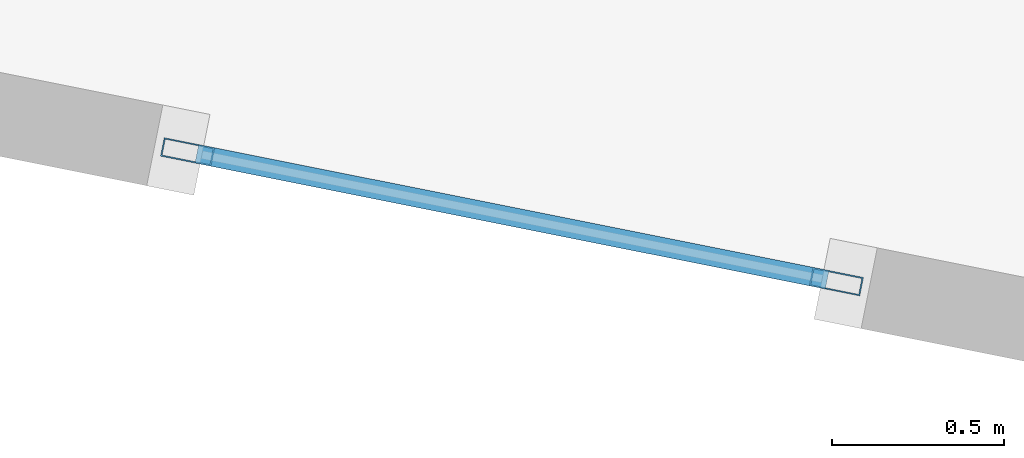
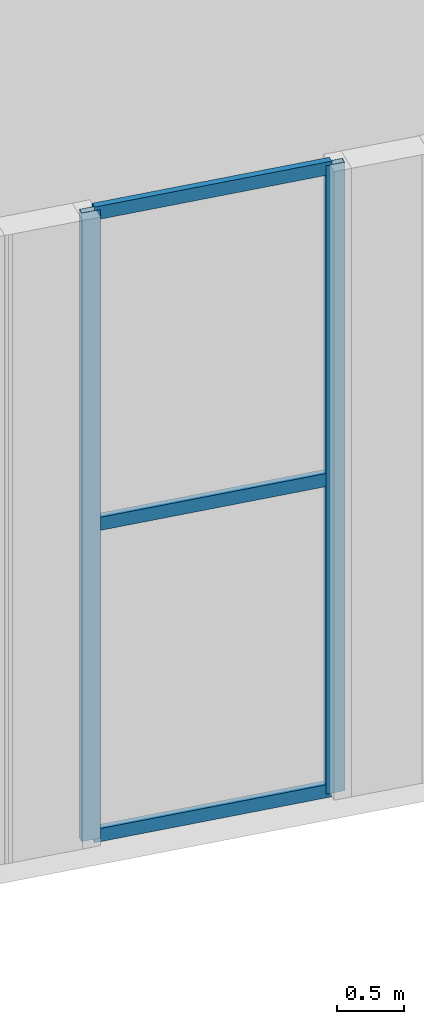
# One storey, part 2 of 11: 5 members, 1 element without a shape of its own.
"""IFC4 building model written with IfcOpenShell, lengths in metres."""

import ifcopenshell
import ifcopenshell.guid

model = None  # the IFC model being written
_history = None  # IfcOwnerHistory: only IFC2X3 demands one
_inside = {}  # id of a spatial element -> (the spatial element, [elements in it])
_under = {}  # id of a project, library or spatial element -> (it, [spatial elements below it])
_declared = {}  # id of a project -> (the project, [libraries it declares])
_typed = {}  # id of a type object -> (the type object, [elements of that type])
_made_of = {}  # id of a material, layer set ... -> (it, [elements and type objects made of it])


def new_model(schema):
    """Start an empty IFC model of exactly this schema.

    Asked for "IFC4X3", IfcOpenShell would pick the latest addendum, in which some entities
    have other attributes; the version numbers below select the first issue.
    IFC2X3 requires an IfcOwnerHistory on every rooted entity: one is made here for all.
    """
    global model, _history
    if schema == "IFC4X3":
        model = ifcopenshell.file(schema_version=(4, 3, 0, 0))
    else:
        model = ifcopenshell.file(schema=schema)
    _inside.clear()
    _under.clear()
    _declared.clear()
    _typed.clear()
    _made_of.clear()
    _history = None
    if model.schema == "IFC2X3":
        org = make("IfcOrganization", Name="unknown")
        user = make(
            "IfcPersonAndOrganization",
            ThePerson=make("IfcPerson", FamilyName="unknown"),
            TheOrganization=org,
        )
        app = make(
            "IfcApplication",
            ApplicationDeveloper=org,
            Version="unknown",
            ApplicationFullName="unknown",
            ApplicationIdentifier="unknown",
        )
        _history = make(
            "IfcOwnerHistory",
            OwningUser=user,
            OwningApplication=app,
            ChangeAction="ADDED",
            CreationDate=0,
        )
    return model


def make(cls, **values):
    """One entity of the class cls with the attributes given. An attribute that is None is left unset."""
    return model.create_entity(
        cls, **{name: value for name, value in values.items() if value is not None}
    )


def rooted(cls, **values):
    """An entity with a GlobalId (a new one), such as an element, a storey or a relation."""
    return make(cls, GlobalId=ifcopenshell.guid.new(), OwnerHistory=_history, **values)


def si_unit(unit_type, name, prefix=None):
    """IfcSIUnit, for example si_unit("LENGTHUNIT", "METRE", prefix="MILLI")."""
    return make("IfcSIUnit", UnitType=unit_type, Prefix=prefix, Name=name)


def assignment(units):
    """IfcUnitAssignment: the units of a project."""
    return None if units is None else make("IfcUnitAssignment", Units=units)


def point(xyz):
    """IfcCartesianPoint."""
    return None if xyz is None else make("IfcCartesianPoint", Coordinates=xyz)


def direction(xyz):
    """IfcDirection."""
    return None if xyz is None else make("IfcDirection", DirectionRatios=xyz)


def frame(location, z_axis=None, x_axis=None):
    """IfcAxis2Placement3D, a coordinate frame: its origin and axes. An axis left out is left unset."""
    return make(
        "IfcAxis2Placement3D",
        Location=point(location),
        Axis=direction(z_axis),
        RefDirection=direction(x_axis),
    )


def frame_2d(location, x_axis=None):
    """IfcAxis2Placement2D, a coordinate frame in the plane: its origin and x axis."""
    return make(
        "IfcAxis2Placement2D", Location=point(location), RefDirection=direction(x_axis)
    )


def origin():
    """The frame at (0, 0, 0) with its axes left unset."""
    return frame((0.0, 0.0, 0.0))


def origin_2d():
    """The frame at (0, 0) in the plane with its x axis left unset."""
    return frame_2d((0.0, 0.0))


def place(relative_to, where):
    """IfcLocalPlacement: puts the frame where relative to a parent placement (None: the world)."""
    return make(
        "IfcLocalPlacement", PlacementRelTo=relative_to, RelativePlacement=where
    )


def context(
    kind, dimensions, precision=None, world=None, true_north=None, identifier=None
):
    """IfcGeometricRepresentationContext, for example the 3D "Model" context."""
    return make(
        "IfcGeometricRepresentationContext",
        ContextIdentifier=identifier,
        ContextType=kind,
        CoordinateSpaceDimension=dimensions,
        Precision=precision,
        WorldCoordinateSystem=world,
        TrueNorth=true_north,
    )


def subcontext(parent, identifier, kind, view, scale=None):
    """IfcGeometricRepresentationSubContext, for example "Body" below "Model"."""
    return make(
        "IfcGeometricRepresentationSubContext",
        ContextIdentifier=identifier,
        ContextType=kind,
        ParentContext=parent,
        TargetScale=scale,
        TargetView=view,
    )


def project(units=None, contexts=None):
    """IfcProject with its units and contexts."""
    return rooted(
        "IfcProject",
        Name="project",
        RepresentationContexts=contexts,
        UnitsInContext=assignment(units),
    )


def spatial(cls, under=None, at=None, **own):
    """A site, building, storey or space (cls), placed at a placement, below another one or the project."""
    s = rooted(cls, ObjectPlacement=at, **own)
    if under is not None:
        _under.setdefault(under.id(), (under, []))[1].append(s)
    return s


def profile(cls, at=None, kind="AREA", **sizes):
    """A parametric profile (cls). Its sizes go by their IFC names, for example OverallWidth=200.0."""
    return make(cls, ProfileType=kind, Position=at, **sizes)


def hollow_rectangle(**sizes):
    """IfcRectangleHollowProfileDef."""
    return profile("IfcRectangleHollowProfileDef", **sizes)


def extrude(swept, where, along, depth):
    """IfcExtrudedAreaSolid: the profile swept, set in the frame where, extruded along a direction by depth."""
    return make(
        "IfcExtrudedAreaSolid",
        SweptArea=swept,
        Position=where,
        ExtrudedDirection=direction(along),
        Depth=depth,
    )


def shape(context_of_items, identifier, shape_type, items):
    """IfcShapeRepresentation: the items that make up one representation, for example the "Body"."""
    return make(
        "IfcShapeRepresentation",
        ContextOfItems=context_of_items,
        RepresentationIdentifier=identifier,
        RepresentationType=shape_type,
        Items=items,
    )


def material(Name=None, Category=None):
    """IfcMaterial."""
    return make("IfcMaterial", Name=Name, Category=Category)


def layer(
    of_material, thickness, ventilated=None, Name=None, Category=None, Priority=None
):
    """IfcMaterialLayer: one layer of a wall or slab, of a material (None: an air gap)."""
    return make(
        "IfcMaterialLayer",
        Material=of_material,
        LayerThickness=thickness,
        IsVentilated=ventilated,
        Name=Name,
        Category=Category,
        Priority=Priority,
    )


def layer_set(layers, Name=None):
    """IfcMaterialLayerSet."""
    return make("IfcMaterialLayerSet", MaterialLayers=layers, LayerSetName=Name)


def material_profile(
    of_material, cross_section, Name=None, Category=None, Priority=None
):
    """IfcMaterialProfile: a cross section and its material."""
    return make(
        "IfcMaterialProfile",
        Name=Name,
        Material=of_material,
        Profile=cross_section,
        Priority=Priority,
        Category=Category,
    )


def profile_set(profiles, Name=None, composite=None):
    """IfcMaterialProfileSet."""
    return make(
        "IfcMaterialProfileSet",
        Name=Name,
        MaterialProfiles=profiles,
        CompositeProfile=composite,
    )


def made_of(thing, what):
    """Note that an element or type object is made of a material, layer set ...; save() writes the relation."""
    if what is not None:
        _made_of.setdefault(what.id(), (what, []))[1].append(thing)
    return thing


def type_object(cls, material=None, **own):
    """A type object (cls), such as IfcWallType, which elements share."""
    return made_of(rooted(cls, **own), material)


def element(
    cls,
    number,
    at=None,
    inside=None,
    cuts=None,
    type_object=None,
    material=None,
    context=None,
    identifier="Body",
    shape_type=None,
    held_by="IfcProductDefinitionShape",
    body=None,
    shapes=None,
    **own,
):
    """One element of the class cls, such as IfcWall. Its Tag is "e" and its number.

    at: its placement. inside: the storey or other place that contains it. cuts: it is an
    opening in that element (IfcRelVoidsElement). A single representation is given by context,
    identifier, shape_type and body (its items); several are given by shapes. held_by: the class
    of the entity that holds the representations. save() writes the other relations.
    """
    e = rooted(cls, Tag="e%d" % number, ObjectPlacement=at, **own)
    if body is not None:
        shapes = [shape(context, identifier, shape_type, body)]
    if shapes is not None:
        e.Representation = make(held_by, Representations=shapes)
    if inside is not None:
        _inside.setdefault(inside.id(), (inside, []))[1].append(e)
    if cuts is not None:
        rooted(
            "IfcRelVoidsElement", RelatingBuildingElement=cuts, RelatedOpeningElement=e
        )
    if type_object is not None:
        _typed.setdefault(type_object.id(), (type_object, []))[1].append(e)
    return made_of(e, material)


def aggregate(whole, parts):
    """IfcRelAggregates: a whole, such as a stair, and the parts it consists of."""
    return rooted("IfcRelAggregates", RelatingObject=whole, RelatedObjects=parts)


def save(model, path):
    """Write the relations noted so far, then the file.

    IfcRelAggregates (storeys below a building ...), IfcRelContainedInSpatialStructure (elements
    in a storey), IfcRelDefinesByType, IfcRelAssociatesMaterial and IfcRelDeclares: one each for
    every whole, place, type object, material and project.
    """
    for whole, parts in _under.values():
        aggregate(whole, parts)
    for where, things in _inside.values():
        rooted(
            "IfcRelContainedInSpatialStructure",
            RelatedElements=things,
            RelatingStructure=where,
        )
    for kind, things in _typed.values():
        rooted("IfcRelDefinesByType", RelatedObjects=things, RelatingType=kind)
    for what, things in _made_of.values():
        rooted("IfcRelAssociatesMaterial", RelatedObjects=things, RelatingMaterial=what)
    for by, libraries in _declared.values():
        rooted("IfcRelDeclares", RelatingContext=by, RelatedDefinitions=libraries)
    model.write(path)


model = new_model("IFC4")

# Units and contexts
model_context = context("Model", 3, precision=1e-05, world=origin(), true_north=direction((0.0, 1.0)))
body_context = subcontext(model_context, "Body", "Model", "MODEL_VIEW")
ifc_project = project(units=[si_unit("LENGTHUNIT", "METRE"), si_unit("AREAUNIT", "SQUARE_METRE"), si_unit("VOLUMEUNIT", "CUBIC_METRE"), si_unit("PLANEANGLEUNIT", "RADIAN"), si_unit("MASSUNIT", "GRAM", prefix="KILO")], contexts=[model_context])

# Site, building, storey
site_placement = place(None, origin())
site = spatial("IfcSite", under=ifc_project, at=site_placement, CompositionType="ELEMENT")
building_placement = place(site_placement, origin())
building = spatial("IfcBuilding", under=site, at=building_placement, Name="Miruveldt Soraemaru", CompositionType="ELEMENT")
storey_placement = place(building_placement, frame((0.0, 0.0, 300.800048828125)))
storey = spatial("IfcBuildingStorey", under=building, at=storey_placement, Name="L80", CompositionType="ELEMENT", Elevation=300.800048828125)

# Curtain wall, members
ifc_material = material(Name="Anodised aluminium EN AW-6063 T6", Category="aluminium")
ifc_layer = layer(ifc_material, 0.14990234375, Name="Anodised aluminium EN AW-6063 T6", Category="aluminium")
ifc_layer_set = layer_set([ifc_layer], Name="Anodised aluminium EN AW-6063 T6")
curtain_wall_type = type_object("IfcCurtainWallType", Name="CW-SYS-6", PredefinedType="USERDEFINED", material=ifc_layer_set)
curtain_wall_placement = place(storey_placement, origin())
curtain_wall = element("IfcCurtainWall", 1, at=curtain_wall_placement, inside=storey, type_object=curtain_wall_type, Name="L80 Curtain Wall Bay 22", ObjectType="UNITISED GLAZING", PredefinedType="USERDEFINED")
ifc_material_profile_1 = material_profile(ifc_material, hollow_rectangle(XDim=0.054931640625, YDim=0.14990234375, WallThickness=0.00390625, at=origin_2d()), Name="Anodised aluminium EN AW-6063 T6", Category="aluminium")
ifc_profile_set_1 = profile_set([ifc_material_profile_1], Name="Anodised aluminium EN AW-6063 T6")
member_type_1 = type_object("IfcMemberType", Name="CWM-6", PredefinedType="MULLION", material=ifc_profile_set_1)
member_1_placement = place(storey_placement, frame((35.003662109375, 27.38134765625, 0.0), z_axis=(0.0, 0.0, 1.0), x_axis=(0.196067670467, 0.98059036738, 0.0)))
member_1 = element("IfcMember", 2, at=member_1_placement, type_object=member_type_1, Name="CW-6 mullion 1", PredefinedType="MULLION", context=body_context, shape_type="SweptSolid", body=[
    extrude(hollow_rectangle(XDim=0.054931640625, YDim=0.14990234375, WallThickness=0.00390625, at=origin_2d()), origin(), (0.0, 0.0, 1.0), 5.739990234375),
])
member_2_placement = place(storey_placement, frame((36.89501953125, 27.003173828125, 0.0), z_axis=(0.0, 0.0, 1.0), x_axis=(0.196067670467, 0.98059036738, 0.0)))
member_2 = element("IfcMember", 3, at=member_2_placement, type_object=member_type_1, Name="CW-6 mullion 2", PredefinedType="MULLION", context=body_context, shape_type="SweptSolid", body=[
    extrude(hollow_rectangle(XDim=0.054931640625, YDim=0.14990234375, WallThickness=0.00390625, at=origin_2d()), origin(), (0.0, 0.0, 1.0), 5.739990234375),
])
ifc_material_profile_2 = material_profile(ifc_material, hollow_rectangle(XDim=0.054931640625, YDim=0.1201171875, WallThickness=0.00390625, at=origin_2d()), Name="Anodised aluminium EN AW-6063 T6", Category="aluminium")
ifc_profile_set_2 = profile_set([ifc_material_profile_2], Name="Anodised aluminium EN AW-6063 T6")
member_type_2 = type_object("IfcMemberType", Name="CWT-6", PredefinedType="USERDEFINED", material=ifc_profile_set_2)
member_3_placement = place(storey_placement, frame((35.030517578125, 27.3759765625, 0.02734375), z_axis=(0.980590695675, -0.196066028563, 0.0), x_axis=(0.196066028563, 0.980590695675, 0.0)))
member_3 = element("IfcMember", 4, at=member_3_placement, type_object=member_type_2, Name="CW-6 transom 1.1", ObjectType="TRANSOM", PredefinedType="USERDEFINED", context=body_context, shape_type="SweptSolid", body=[
    extrude(hollow_rectangle(XDim=0.054931640625, YDim=0.1201171875, WallThickness=0.00390625, at=origin_2d()), origin(), (0.0, 0.0, 1.0), 1.8740234375),
])
member_4_placement = place(storey_placement, frame((35.030517578125, 27.3759765625, 2.869873046875), z_axis=(0.980590695675, -0.196066028563, 0.0), x_axis=(0.196066028563, 0.980590695675, 0.0)))
member_4 = element("IfcMember", 5, at=member_4_placement, type_object=member_type_2, Name="CW-6 transom 1.2", ObjectType="TRANSOM", PredefinedType="USERDEFINED", context=body_context, shape_type="SweptSolid", body=[
    extrude(hollow_rectangle(XDim=0.054931640625, YDim=0.1201171875, WallThickness=0.00390625, at=origin_2d()), origin(), (0.0, 0.0, 1.0), 1.8740234375),
])
member_5_placement = place(storey_placement, frame((35.030517578125, 27.3759765625, 5.71240234375), z_axis=(0.980590695675, -0.196066028563, 0.0), x_axis=(0.196066028563, 0.980590695675, 0.0)))
member_5 = element("IfcMember", 6, at=member_5_placement, type_object=member_type_2, Name="CW-6 transom 1.3", ObjectType="TRANSOM", PredefinedType="USERDEFINED", context=body_context, shape_type="SweptSolid", body=[
    extrude(hollow_rectangle(XDim=0.054931640625, YDim=0.1201171875, WallThickness=0.00390625, at=origin_2d()), origin(), (0.0, 0.0, 1.0), 1.8740234375),
])
aggregate(curtain_wall, [member_1, member_2, member_3, member_4, member_5])

save(model, "model.ifc")
